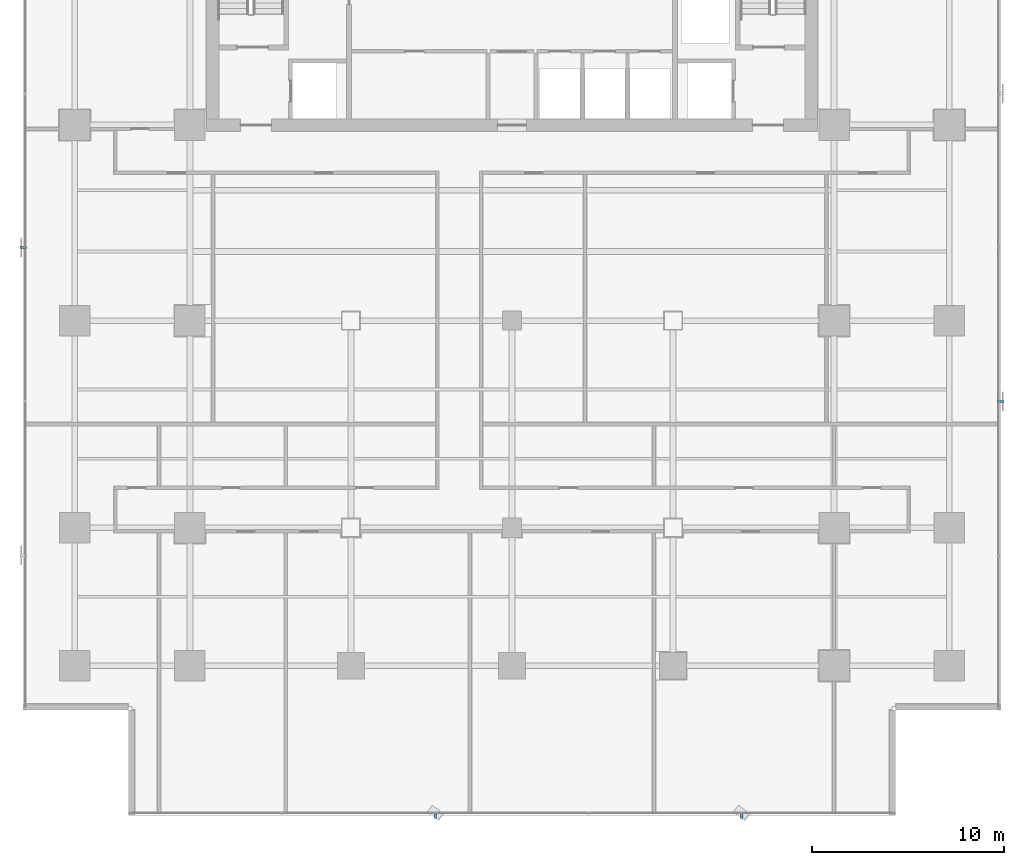
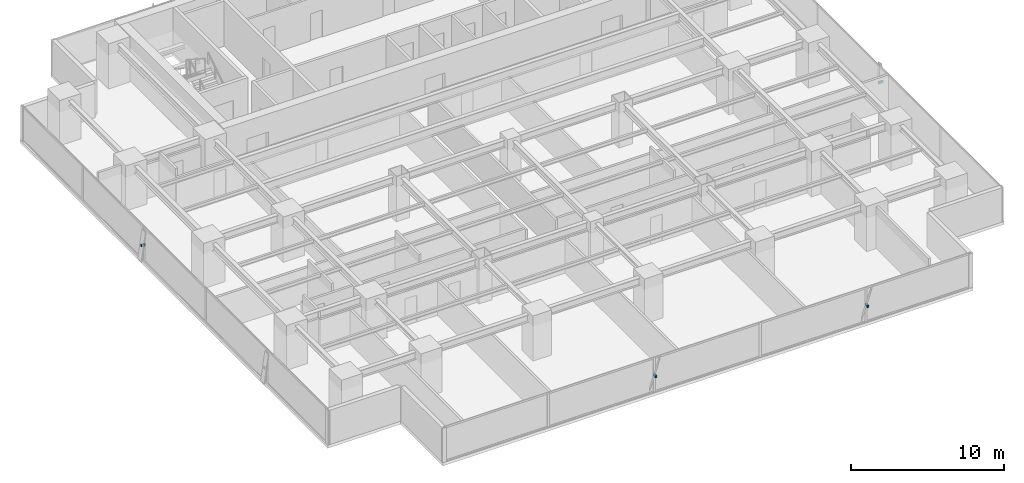
# One storey, part 29 of 35: 4 discrete accessories.
"""IFC4 building model written with IfcOpenShell, lengths in metres."""

from ifc_helpers import new_model, si_unit, direction, frame, origin, origin_2d, place, context, subcontext, project, spatial, rectangle, extrude, source, transform, mapped, material, material_profile, profile_set, type_object, element, save


model = new_model("IFC4")

# Units and contexts
model_context = context("Model", 3, precision=1e-05, world=origin(), true_north=direction((0.0, 1.0)))
body_context = subcontext(model_context, "Body", "Model", "MODEL_VIEW")
ifc_project = project(units=[si_unit("LENGTHUNIT", "METRE"), si_unit("AREAUNIT", "SQUARE_METRE"), si_unit("VOLUMEUNIT", "CUBIC_METRE"), si_unit("PLANEANGLEUNIT", "RADIAN"), si_unit("MASSUNIT", "GRAM", prefix="KILO")], contexts=[model_context])

# Site, building, storey
site_placement = place(None, origin())
site = spatial("IfcSite", under=ifc_project, at=site_placement, CompositionType="ELEMENT")
building_placement = place(site_placement, origin())
building = spatial("IfcBuilding", under=site, at=building_placement, Name="Sumidabori Civic Tower", CompositionType="ELEMENT")
storey_placement = place(building_placement, frame((0.0, 0.0, 102.800048828125)))
storey = spatial("IfcBuildingStorey", under=building, at=storey_placement, Name="L26", CompositionType="ELEMENT", Elevation=102.800048828125)

# Discrete accessories
ifc_material = material(Name="Stainless Steel Hairline Finish", Category="steel")
ifc_material_profile = material_profile(ifc_material, rectangle(XDim=0.1201171875, YDim=0.179931640625, at=origin_2d()), Name="STEEL BRACKET 180x120")
ifc_profile_set = profile_set([ifc_material_profile], Name="Stainless Steel Hairline Finish")
discrete_accessory_type = type_object("IfcDiscreteAccessoryType", Name="AC-BRK-180", PredefinedType="BRACKET", material=ifc_profile_set)
shared_shape_1 = source(origin(), body_context, "Body", "SweptSolid", [
    extrude(rectangle(XDim=0.1201171875, YDim=0.179931640625, at=origin_2d()), origin(), (0.0, 0.0, 1.0), 0.329833984375),
])
for number, where, z_axis, x_axis, name in (
    (1, (25.330078125, -4.214111328125, 1.35986328125), (1.0, 0.0, 0.0), (0.0, 1.0, 0.0), "Bronze Fin Fixing Bracket L26-02"),
    (2, (-25.330078125, 3.81396484375, 1.35986328125), (-1.0, 0.0, 0.0), (0.0, -1.0, 0.0), "Bronze Fin Fixing Bracket L26-02"),
):
    element("IfcDiscreteAccessory", number, at=place(storey_placement, frame(where, z_axis=z_axis, x_axis=x_axis)), inside=storey, type_object=discrete_accessory_type, Name=name, PredefinedType="BRACKET", context=body_context, shape_type="MappedRepresentation", body=[
        mapped(shared_shape_1, transform((0.0, 0.0, 0.0), x_axis=(1.0, 0.0, 0.0), y_axis=(0.0, 1.0, 0.0), z_axis=(0.0, 0.0, 1.0), scale=1.0)),
    ])
shared_shape_2 = source(origin(), body_context, "Body", "SweptSolid", [
    extrude(rectangle(XDim=0.1201171875, YDim=0.179931640625, at=origin_2d()), origin(), (0.0, 0.0, 1.0), 0.330078125),
])
for number, where, z_axis, x_axis, name in (
    (3, (-3.993896484375, -25.6298828125, 1.35986328125), (0.0, -1.0, 0.0), (1.0, 0.0, 0.0), "Bronze Fin Fixing Bracket L26-02"),
    (4, (11.98193359375, -25.6298828125, 1.35986328125), (0.0, -1.0, 0.0), (1.0, 0.0, 0.0), "Bronze Fin Fixing Bracket L26-04"),
):
    element("IfcDiscreteAccessory", number, at=place(storey_placement, frame(where, z_axis=z_axis, x_axis=x_axis)), inside=storey, type_object=discrete_accessory_type, Name=name, PredefinedType="BRACKET", context=body_context, shape_type="MappedRepresentation", body=[
        mapped(shared_shape_2, transform((0.0, 0.0, 0.0), x_axis=(1.0, 0.0, 0.0), y_axis=(0.0, 1.0, 0.0), z_axis=(0.0, 0.0, 1.0), scale=1.0)),
    ])

save(model, "model.ifc")
